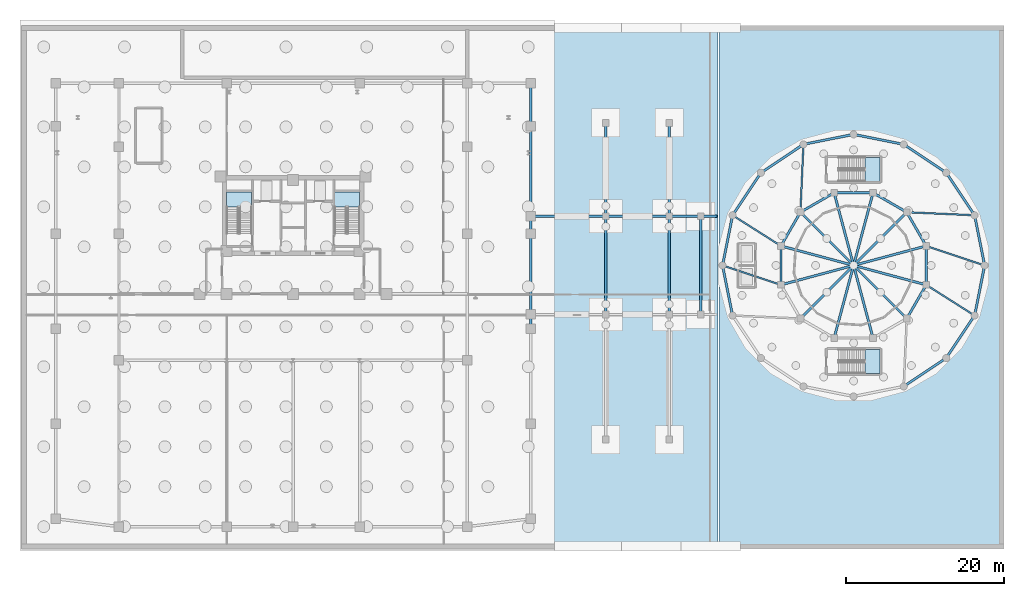
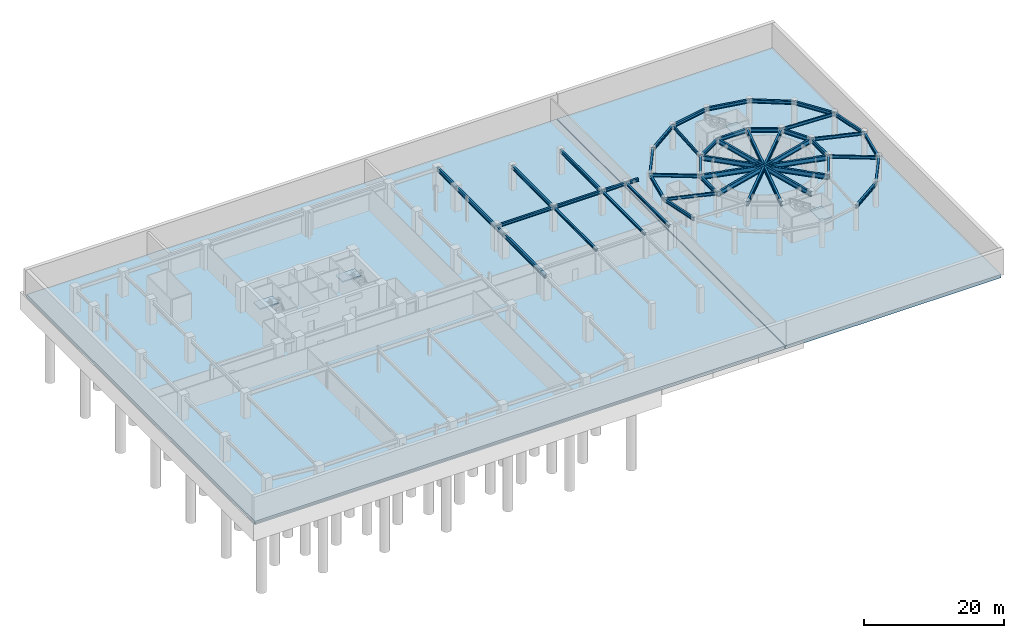
# One storey, part 5 of 15: 44 beams, 6 slabs, 4 elements without a shape of their own.
"""IFC4 building model written with IfcOpenShell, lengths in metres."""

from ifc_helpers import new_model, si_unit, derived_unit, direction, frame, origin, origin_2d, place, context, subcontext, project, spatial, polyline, i_section, outline, extrude, source, transform, mapped, material, layer, layer_set, material_profile, profile_set, type_object, element, aggregate, save


model = new_model("IFC4")

# Units and contexts
model_context = context("Model", 3, precision=1e-05, world=origin(), true_north=direction((0.0, 1.0)))
body_context = subcontext(model_context, "Body", "Model", "MODEL_VIEW")
ifc_project = project(units=[si_unit("LENGTHUNIT", "METRE"), si_unit("AREAUNIT", "SQUARE_METRE"), si_unit("VOLUMEUNIT", "CUBIC_METRE"), si_unit("PLANEANGLEUNIT", "RADIAN"), si_unit("MASSUNIT", "GRAM", prefix="KILO"), derived_unit("THERMALTRANSMITTANCEUNIT", [(si_unit("POWERUNIT", "WATT"), 1), (si_unit("LENGTHUNIT", "METRE"), -2), (si_unit("THERMODYNAMICTEMPERATUREUNIT", "KELVIN"), -1)])], contexts=[model_context])

# Site, building, storey
site_placement = place(None, origin())
site = spatial("IfcSite", under=ifc_project, at=site_placement, CompositionType="ELEMENT")
building_placement = place(site_placement, origin())
building = spatial("IfcBuilding", under=site, at=building_placement, Name="Korsvarv Bourse and Concert Hall", CompositionType="ELEMENT")
storey_placement = place(building_placement, frame((0.0, 0.0, -9.0)))
storey = spatial("IfcBuildingStorey", under=building, at=storey_placement, Name="B02", CompositionType="ELEMENT", Elevation=-9.0)

# Beams
ifc_material_1 = material(Name="Steel S355", Category="steel")
ifc_material_profile_1 = material_profile(ifc_material_1, i_section(OverallWidth=0.300048828125, OverallDepth=0.489990234375, WebThickness=0.011962890625, FlangeThickness=0.02294921875, FilletRadius=0.02392578125, at=origin_2d()), Name="HEA 500")
ifc_profile_set_1 = profile_set([ifc_material_profile_1], Name="Steel S355")
beam_type_1 = type_object("IfcBeamType", Name="BM-HEA500", PredefinedType="BEAM", material=ifc_profile_set_1)
shared_shape_1 = source(origin(), body_context, "Body", "SweptSolid", [
    extrude(i_section(OverallWidth=0.300048828125, OverallDepth=0.489990234375, WebThickness=0.011962890625, FlangeThickness=0.02294921875, FilletRadius=0.02392578125, at=origin_2d()), origin(), (0.0, 0.0, 1.0), 9.5),
])
beam_1_placement = place(storey_placement, frame((66.0, 42.199951171875, 3.93505859375), z_axis=(1.0, 0.0, 0.0), x_axis=(0.0, 1.0, 0.0)))
element("IfcBeam", 1, at=beam_1_placement, inside=storey, type_object=beam_type_1, Name="B02 beam B-10", PredefinedType="BEAM", context=body_context, shape_type="MappedRepresentation", body=[
    mapped(shared_shape_1, transform((0.0, 0.0, 0.0), scale=1.0)),
])
shared_shape_2 = source(origin(), body_context, "Body", "SweptSolid", [
    extrude(i_section(OverallWidth=0.300048828125, OverallDepth=0.489990234375, WebThickness=0.011962890625, FlangeThickness=0.02294921875, FilletRadius=0.02392578125, at=origin_2d()), origin(), (0.0, 0.0, 1.0), 8.0),
])
beam_2_placement = place(storey_placement, frame((75.5, 42.199951171875, 3.93505859375), z_axis=(1.0, 0.0, 0.0), x_axis=(0.0, 1.0, 0.0)))
element("IfcBeam", 2, at=beam_2_placement, inside=storey, type_object=beam_type_1, Name="B02 beam B-10", PredefinedType="BEAM", context=body_context, shape_type="MappedRepresentation", body=[
    mapped(shared_shape_2, transform((0.0, 0.0, 0.0), scale=1.0)),
])
shared_shape_3 = source(origin(), body_context, "Body", "SweptSolid", [
    extrude(i_section(OverallWidth=0.300048828125, OverallDepth=0.489990234375, WebThickness=0.011962890625, FlangeThickness=0.02294921875, FilletRadius=0.02392578125, at=origin_2d()), origin(), (0.0, 0.0, 1.0), 4.0),
])
beam_3_placement = place(storey_placement, frame((83.5, 42.199951171875, 3.93505859375), z_axis=(1.0, 0.0, 0.0), x_axis=(0.0, 1.0, 0.0)))
element("IfcBeam", 3, at=beam_3_placement, inside=storey, type_object=beam_type_1, Name="B02 beam B-10", PredefinedType="BEAM", context=body_context, shape_type="MappedRepresentation", body=[
    mapped(shared_shape_3, transform((0.0, 0.0, 0.0), scale=1.0)),
])
shared_shape_4 = source(origin(), body_context, "Body", "SweptSolid", [
    extrude(i_section(OverallWidth=0.300048828125, OverallDepth=0.489990234375, WebThickness=0.011962890625, FlangeThickness=0.02294921875, FilletRadius=0.02392578125, at=origin_2d()), origin(), (0.0, 0.0, 1.0), 2.02001953125),
])
beam_4_placement = place(storey_placement, frame((87.5, 42.199951171875, 3.93505859375), z_axis=(1.0, 0.0, 0.0), x_axis=(0.0, 1.0, 0.0)))
element("IfcBeam", 4, at=beam_4_placement, inside=storey, type_object=beam_type_1, Name="B02 beam B-10", PredefinedType="BEAM", context=body_context, shape_type="MappedRepresentation", body=[
    mapped(shared_shape_4, transform((0.0, 0.0, 0.0), scale=1.0)),
])
ifc_material_profile_2 = material_profile(ifc_material_1, i_section(OverallWidth=0.300048828125, OverallDepth=0.389892578125, WebThickness=0.010986328125, FlangeThickness=0.01904296875, FilletRadius=0.02099609375, at=origin_2d()), Name="HEA 400")
ifc_profile_set_2 = profile_set([ifc_material_profile_2], Name="Steel S355")
beam_type_2 = type_object("IfcBeamType", Name="BM-HEA400", PredefinedType="BEAM", material=ifc_profile_set_2)
shared_shape_5 = source(origin(), body_context, "Body", "SweptSolid", [
    extrude(i_section(OverallWidth=0.300048828125, OverallDepth=0.389892578125, WebThickness=0.010986328125, FlangeThickness=0.01904296875, FilletRadius=0.02099609375, at=origin_2d()), origin(), (0.0, 0.0, 1.0), 12.39990234375),
])
for number, where, z_axis, x_axis, name in (
    (5, (75.5, 29.800048828125, 3.985107421875), (0.0, 1.0, 0.0), (-1.0, 0.0, 0.0), "B02 beam B-11"),
    (6, (83.5, 29.800048828125, 3.985107421875), (0.0, 1.0, 0.0), (-1.0, 0.0, 0.0), "B02 beam B-11"),
    (7, (87.5, 29.800048828125, 3.985107421875), (0.0, 1.0, 0.0), (-1.0, 0.0, 0.0), "B02 beam B-11"),
):
    element("IfcBeam", number, at=place(storey_placement, frame(where, z_axis=z_axis, x_axis=x_axis)), inside=storey, type_object=beam_type_2, Name=name, PredefinedType="BEAM", context=body_context, shape_type="MappedRepresentation", body=[
        mapped(shared_shape_5, transform((0.0, 0.0, 0.0), scale=1.0)),
    ])
ifc_material_profile_3 = material_profile(ifc_material_1, i_section(OverallWidth=0.300048828125, OverallDepth=0.60009765625, WebThickness=0.015380859375, FlangeThickness=0.030029296875, FilletRadius=0.02392578125, at=origin_2d()), Name="HEB 600")
ifc_profile_set_3 = profile_set([ifc_material_profile_3], Name="Steel S355")
beam_type_3 = type_object("IfcBeamType", Name="BM-HEB600", PredefinedType="BEAM", material=ifc_profile_set_3)
shared_shape_6 = source(origin(), body_context, "Body", "SweptSolid", [
    extrude(i_section(OverallWidth=0.300048828125, OverallDepth=0.60009765625, WebThickness=0.015380859375, FlangeThickness=0.030029296875, FilletRadius=0.02392578125, at=origin_2d()), origin(), (0.0, 0.0, 1.0), 11.800048828125),
])
for number, where, z_axis, x_axis, name in (
    (8, (75.5, 42.199951171875, 3.8798828125), (0.0, 1.0, 0.0), (-1.0, 0.0, 0.0), "B02 beam B-05"),
    (9, (83.5, 42.199951171875, 3.8798828125), (0.0, 1.0, 0.0), (-1.0, 0.0, 0.0), "B02 beam B-05"),
):
    element("IfcBeam", number, at=place(storey_placement, frame(where, z_axis=z_axis, x_axis=x_axis)), inside=storey, type_object=beam_type_3, Name=name, PredefinedType="BEAM", context=body_context, shape_type="MappedRepresentation", body=[
        mapped(shared_shape_6, transform((0.0, 0.0, 0.0), scale=1.0)),
    ])
ifc_material_profile_4 = material_profile(ifc_material_1, i_section(OverallWidth=0.300048828125, OverallDepth=0.699951171875, WebThickness=0.01708984375, FlangeThickness=0.031982421875, FilletRadius=0.027099609375, at=origin_2d()), Name="HEB 700")
ifc_profile_set_4 = profile_set([ifc_material_profile_4], Name="Steel S355")
beam_type_4 = type_object("IfcBeamType", Name="BM-HEB700", PredefinedType="BEAM", material=ifc_profile_set_4)
shared_shape_7 = source(origin(), body_context, "Body", "SweptSolid", [
    extrude(i_section(OverallWidth=0.300048828125, OverallDepth=0.699951171875, WebThickness=0.01708984375, FlangeThickness=0.031982421875, FilletRadius=0.027099609375, at=origin_2d()), origin(), (0.0, 0.0, 1.0), 12.0),
])
beam_5_placement = place(storey_placement, frame((66.0, 28.0, 3.830078125), z_axis=(0.0, 1.0, 0.0), x_axis=(-1.0, 0.0, 0.0)))
element("IfcBeam", 10, at=beam_5_placement, inside=storey, type_object=beam_type_4, Name="B02 beam B-03", PredefinedType="BEAM", context=body_context, shape_type="MappedRepresentation", body=[
    mapped(shared_shape_7, transform((0.0, 0.0, 0.0), scale=1.0)),
])
shared_shape_8 = source(origin(), body_context, "Body", "SweptSolid", [
    extrude(i_section(OverallWidth=0.300048828125, OverallDepth=0.699951171875, WebThickness=0.01708984375, FlangeThickness=0.031982421875, FilletRadius=0.027099609375, at=origin_2d()), origin(), (0.0, 0.0, 1.0), 13.60009765625),
])
beam_6_placement = place(storey_placement, frame((66.0, 40.0, 3.830078125), z_axis=(0.0, 1.0, 0.0), x_axis=(-1.0, 0.0, 0.0)))
element("IfcBeam", 11, at=beam_6_placement, inside=storey, type_object=beam_type_4, Name="B02 beam B-03", PredefinedType="BEAM", context=body_context, shape_type="MappedRepresentation", body=[
    mapped(shared_shape_8, transform((0.0, 0.0, 0.0), scale=1.0)),
])
shared_shape_9 = source(origin(), body_context, "Body", "SweptSolid", [
    extrude(i_section(OverallWidth=0.300048828125, OverallDepth=0.699951171875, WebThickness=0.01708984375, FlangeThickness=0.031982421875, FilletRadius=0.027099609375, at=origin_2d()), origin(), (0.0, 0.0, 1.0), 5.39990234375),
])
beam_7_placement = place(storey_placement, frame((66.0, 53.60009765625, 3.830078125), z_axis=(0.0, 1.0, 0.0), x_axis=(-1.0, 0.0, 0.0)))
element("IfcBeam", 12, at=beam_7_placement, inside=storey, type_object=beam_type_4, Name="B02 beam B-03", PredefinedType="BEAM", context=body_context, shape_type="MappedRepresentation", body=[
    mapped(shared_shape_9, transform((0.0, 0.0, 0.0), scale=1.0)),
])
ifc_material_profile_5 = material_profile(ifc_material_1, i_section(OverallWidth=0.300048828125, OverallDepth=0.550048828125, WebThickness=0.014892578125, FlangeThickness=0.029052734375, FilletRadius=0.02392578125, at=origin_2d()), Name="HEB 550")
ifc_profile_set_5 = profile_set([ifc_material_profile_5], Name="Steel S355")
beam_type_5 = type_object("IfcBeamType", Name="BM-HEB550", PredefinedType="BEAM", material=ifc_profile_set_5)
shared_shape_10 = source(origin(), body_context, "Body", "SweptSolid", [
    extrude(i_section(OverallWidth=0.300048828125, OverallDepth=0.550048828125, WebThickness=0.014892578125, FlangeThickness=0.029052734375, FilletRadius=0.02392578125, at=origin_2d()), origin(), (0.0, 0.0, 1.0), 6.45751953125),
])
for number, where, z_axis, x_axis, name in (
    (13, (123.35009765625, 36.0, 3.905029296875), (-0.195119974887, 0.980779381615, 0.0), (-0.980779381615, -0.195119974887, 0.0), "B02 beam B-06"),
    (14, (106.800048828125, 52.550048828125, 3.905029296875), (-0.980786616034, -0.195083607229, 0.0), (0.195083607229, -0.980786616034, 0.0), "B02 beam B-06"),
    (15, (100.466552734375, 51.290283203125, 3.905029296875), (-0.83146235745, -0.55558109052, 0.0), (0.55558109052, -0.83146235745, 0.0), "B02 beam B-06"),
    (16, (95.097412109375, 47.70263671875, 3.905029296875), (-0.55558109052, -0.83146235745, 0.0), (0.83146235745, -0.55558109052, 0.0), "B02 beam B-06"),
    (17, (91.509765625, 42.33349609375, 3.905029296875), (-0.195083607229, -0.980786616034, 0.0), (0.980786616034, -0.195083607229, 0.0), "B02 beam B-06"),
    (18, (90.25, 36.0, 3.905029296875), (0.195083607229, -0.980786616034, 0.0), (0.980786616034, 0.195083607229, 0.0), "B02 beam B-06"),
    (19, (122.090087890625, 29.66650390625, 3.905029296875), (0.195119974887, 0.980779381615, 0.0), (-0.980779381615, 0.195119974887, 0.0), "B02 beam B-06"),
):
    element("IfcBeam", number, at=place(storey_placement, frame(where, z_axis=z_axis, x_axis=x_axis)), inside=storey, type_object=beam_type_5, Name=name, PredefinedType="BEAM", context=body_context, shape_type="MappedRepresentation", body=[
        mapped(shared_shape_10, transform((0.0, 0.0, 0.0), scale=1.0)),
    ])
shared_shape_11 = source(origin(), body_context, "Body", "SweptSolid", [
    extrude(i_section(OverallWidth=0.300048828125, OverallDepth=0.550048828125, WebThickness=0.014892578125, FlangeThickness=0.029052734375, FilletRadius=0.02392578125, at=origin_2d()), origin(), (0.0, 0.0, 1.0), 6.457275390625),
])
for number, where, z_axis, x_axis, name in (
    (20, (122.090087890625, 42.33349609375, 3.905029296875), (-0.555554952257, 0.831479822379, 0.0), (-0.831479822379, -0.555554952257, 0.0), "B02 beam B-06"),
    (21, (113.13330078125, 51.290283203125, 3.905029296875), (-0.980785177113, 0.19509084129, 0.0), (-0.19509084129, -0.980785177113, 0.0), "B02 beam B-06"),
    (22, (118.502685546875, 24.29736328125, 3.905029296875), (0.555554952257, 0.831479822379, 0.0), (-0.831479822379, 0.555554952257, 0.0), "B02 beam B-06"),
):
    element("IfcBeam", number, at=place(storey_placement, frame(where, z_axis=z_axis, x_axis=x_axis)), inside=storey, type_object=beam_type_5, Name=name, PredefinedType="BEAM", context=body_context, shape_type="MappedRepresentation", body=[
        mapped(shared_shape_11, transform((0.0, 0.0, 0.0), scale=1.0)),
    ])
shared_shape_12 = source(origin(), body_context, "Body", "SweptSolid", [
    extrude(i_section(OverallWidth=0.300048828125, OverallDepth=0.550048828125, WebThickness=0.014892578125, FlangeThickness=0.029052734375, FilletRadius=0.02392578125, at=origin_2d()), origin(), (0.0, 0.0, 1.0), 6.457763671875),
])
for number, where, z_axis, x_axis, name in (
    (23, (118.502685546875, 47.70263671875, 3.905029296875), (-0.831474026951, 0.555563625974, 0.0), (-0.555563625974, -0.831474026951, 0.0), "B02 beam B-06"),
    (24, (113.13330078125, 20.709716796875, 3.905029296875), (0.831474026951, 0.555563625974, 0.0), (-0.555563625974, 0.831474026951, 0.0), "B02 beam B-06"),
):
    element("IfcBeam", number, at=place(storey_placement, frame(where, z_axis=z_axis, x_axis=x_axis)), inside=storey, type_object=beam_type_5, Name=name, PredefinedType="BEAM", context=body_context, shape_type="MappedRepresentation", body=[
        mapped(shared_shape_12, transform((0.0, 0.0, 0.0), scale=1.0)),
    ])
ifc_material_profile_6 = material_profile(ifc_material_1, i_section(OverallWidth=0.300048828125, OverallDepth=0.64990234375, WebThickness=0.01611328125, FlangeThickness=0.031005859375, FilletRadius=0.027099609375, at=origin_2d()), Name="HEB 650")
ifc_profile_set_6 = profile_set([ifc_material_profile_6], Name="Steel S355")
beam_type_6 = type_object("IfcBeamType", Name="BM-HEB650", PredefinedType="BEAM", material=ifc_profile_set_6)
shared_shape_13 = source(origin(), body_context, "Body", "SweptSolid", [
    extrude(i_section(OverallWidth=0.300048828125, OverallDepth=0.64990234375, WebThickness=0.01611328125, FlangeThickness=0.031005859375, FilletRadius=0.027099609375, at=origin_2d()), origin(), (0.0, 0.0, 1.0), 4.91748046875),
])
for number, where, z_axis, x_axis, name in (
    (25, (115.976318359375, 38.458740234375, 3.85498046875), (-0.499988900423, 0.866031812033, 0.0), (-0.866031812033, -0.499988900423, 0.0), "B02 beam B-04"),
    (26, (113.517578125, 42.717529296875, 3.85498046875), (-0.866031812033, 0.499988900423, 0.0), (-0.499988900423, -0.866031812033, 0.0), "B02 beam B-04"),
    (27, (109.2587890625, 45.17626953125, 3.85498046875), (-1.0, 0.0, 0.0), (0.0, -1.0, 0.0), "B02 beam B-04"),
    (28, (104.34130859375, 45.17626953125, 3.85498046875), (-0.866031812033, -0.499988900423, 0.0), (0.499988900423, -0.866031812033, 0.0), "B02 beam B-04"),
    (29, (100.08251953125, 42.717529296875, 3.85498046875), (-0.499988900423, -0.866031812033, 0.0), (0.866031812033, -0.499988900423, 0.0), "B02 beam B-04"),
    (30, (97.623779296875, 38.458740234375, 3.85498046875), (0.0, -1.0, 0.0), (1.0, 0.0, 0.0), "B02 beam B-04"),
    (31, (113.517578125, 29.282470703125, 3.85498046875), (0.499988900423, 0.866031812033, 0.0), (-0.866031812033, 0.499988900423, 0.0), "B02 beam B-04"),
    (32, (115.976318359375, 33.541259765625, 3.85498046875), (0.0, 1.0, 0.0), (-1.0, 0.0, 0.0), "B02 beam B-04"),
):
    element("IfcBeam", number, at=place(storey_placement, frame(where, z_axis=z_axis, x_axis=x_axis)), inside=storey, type_object=beam_type_6, Name=name, PredefinedType="BEAM", context=body_context, shape_type="MappedRepresentation", body=[
        mapped(shared_shape_13, transform((0.0, 0.0, 0.0), scale=1.0)),
    ])
ifc_material_profile_7 = material_profile(ifc_material_1, i_section(OverallWidth=0.199951171875, OverallDepth=0.5, WebThickness=0.01025390625, FlangeThickness=0.01611328125, FilletRadius=0.02099609375, at=origin_2d()), Name="IPE 500")
ifc_profile_set_7 = profile_set([ifc_material_profile_7], Name="Steel S355")
beam_type_7 = type_object("IfcBeamType", Name="BM-IPE500", PredefinedType="JOIST", material=ifc_profile_set_7)
shared_shape_14 = source(origin(), body_context, "Body", "SweptSolid", [
    extrude(i_section(OverallWidth=0.199951171875, OverallDepth=0.5, WebThickness=0.01025390625, FlangeThickness=0.01611328125, FilletRadius=0.02099609375, at=origin_2d()), origin(), (0.0, 0.0, 1.0), 7.77294921875),
])
for number, where, z_axis, x_axis, name in (
    (33, (115.976318359375, 38.458740234375, 3.929931640625), (0.948651884177, -0.316321992039, 0.0), (0.316321992039, 0.948651884177, 0.0), "B02 beam J-03"),
    (34, (97.623779296875, 33.541259765625, 3.929931640625), (-0.948651884177, 0.316321992039, 0.0), (-0.316321992039, -0.948651884177, 0.0), "B02 beam J-03"),
):
    element("IfcBeam", number, at=place(storey_placement, frame(where, z_axis=z_axis, x_axis=x_axis)), inside=storey, type_object=beam_type_7, Name=name, PredefinedType="JOIST", context=body_context, shape_type="MappedRepresentation", body=[
        mapped(shared_shape_14, transform((0.0, 0.0, 0.0), scale=1.0)),
    ])
shared_shape_15 = source(origin(), body_context, "Body", "SweptSolid", [
    extrude(i_section(OverallWidth=0.199951171875, OverallDepth=0.5, WebThickness=0.01025390625, FlangeThickness=0.01611328125, FilletRadius=0.02099609375, at=origin_2d()), origin(), (0.0, 0.0, 1.0), 8.5810546875),
])
beam_8_placement = place(storey_placement, frame((113.517578125, 42.717529296875, 3.929931640625), z_axis=(0.998998067431, -0.044753338082, 0.0), x_axis=(0.044753338082, 0.998998067431, 0.0)))
element("IfcBeam", 35, at=beam_8_placement, inside=storey, type_object=beam_type_7, Name="B02 beam J-03", PredefinedType="JOIST", context=body_context, shape_type="MappedRepresentation", body=[
    mapped(shared_shape_15, transform((0.0, 0.0, 0.0), scale=1.0)),
])
shared_shape_16 = source(origin(), body_context, "Body", "SweptSolid", [
    extrude(i_section(OverallWidth=0.199951171875, OverallDepth=0.5, WebThickness=0.01025390625, FlangeThickness=0.01611328125, FilletRadius=0.02099609375, at=origin_2d()), origin(), (0.0, 0.0, 1.0), 8.581298828125),
])
beam_9_placement = place(storey_placement, frame((100.08251953125, 42.717529296875, 3.929931640625), z_axis=(0.044752066119, 0.998998124412, 0.0), x_axis=(-0.998998124412, 0.044752066119, 0.0)))
element("IfcBeam", 36, at=beam_9_placement, inside=storey, type_object=beam_type_7, Name="B02 beam J-03", PredefinedType="JOIST", context=body_context, shape_type="MappedRepresentation", body=[
    mapped(shared_shape_16, transform((0.0, 0.0, 0.0), scale=1.0)),
])
shared_shape_17 = source(origin(), body_context, "Body", "SweptSolid", [
    extrude(i_section(OverallWidth=0.199951171875, OverallDepth=0.5, WebThickness=0.01025390625, FlangeThickness=0.01611328125, FilletRadius=0.02099609375, at=origin_2d()), origin(), (0.0, 0.0, 1.0), 7.238525390625),
])
beam_10_placement = place(storey_placement, frame((97.623779296875, 38.458740234375, 3.929931640625), z_axis=(-0.844659971835, 0.53530321499, 0.0), x_axis=(-0.53530321499, -0.844659971835, 0.0)))
element("IfcBeam", 37, at=beam_10_placement, inside=storey, type_object=beam_type_7, Name="B02 beam J-03", PredefinedType="JOIST", context=body_context, shape_type="MappedRepresentation", body=[
    mapped(shared_shape_17, transform((0.0, 0.0, 0.0), scale=1.0)),
])
shared_shape_18 = source(origin(), body_context, "Body", "SweptSolid", [
    extrude(i_section(OverallWidth=0.199951171875, OverallDepth=0.5, WebThickness=0.01025390625, FlangeThickness=0.01611328125, FilletRadius=0.02099609375, at=origin_2d()), origin(), (0.0, 0.0, 1.0), 7.23828125),
])
beam_11_placement = place(storey_placement, frame((115.976318359375, 33.541259765625, 3.929931640625), z_axis=(0.844650306569, -0.5353184656, 0.0), x_axis=(0.5353184656, 0.844650306569, 0.0)))
element("IfcBeam", 38, at=beam_11_placement, inside=storey, type_object=beam_type_7, Name="B02 beam J-03", PredefinedType="JOIST", context=body_context, shape_type="MappedRepresentation", body=[
    mapped(shared_shape_18, transform((0.0, 0.0, 0.0), scale=1.0)),
])
ifc_material_2 = material(Name="Steel S460", Category="steel")
ifc_material_profile_8 = material_profile(ifc_material_2, i_section(OverallWidth=0.300048828125, OverallDepth=0.800048828125, WebThickness=0.017578125, FlangeThickness=0.032958984375, FilletRadius=0.027099609375, at=origin_2d()), Name="HEB 800")
ifc_profile_set_8 = profile_set([ifc_material_profile_8], Name="Steel S460")
beam_type_8 = type_object("IfcBeamType", Name="BM-HEB800", PredefinedType="BEAM", material=ifc_profile_set_8)
shared_shape_19 = source(origin(), body_context, "Body", "SweptSolid", [
    extrude(i_section(OverallWidth=0.300048828125, OverallDepth=0.800048828125, WebThickness=0.017578125, FlangeThickness=0.032958984375, FilletRadius=0.027099609375, at=origin_2d()), origin(), (0.0, 0.0, 1.0), 19.0),
])
for number, where, z_axis, x_axis, name in (
    (39, (115.976318359375, 38.458740234375, 3.780029296875), (-0.96592671513, -0.258815727879, 0.0), (0.258815727879, -0.96592671513, 0.0), "B02 beam B-02"),
    (40, (113.517578125, 42.717529296875, 3.780029296875), (-0.707106781187, -0.707106781187, 0.0), (0.707106781187, -0.707106781187, 0.0), "B02 beam B-02"),
    (41, (109.2587890625, 45.17626953125, 3.780029296875), (-0.258815727879, -0.96592671513, 0.0), (0.96592671513, -0.258815727879, 0.0), "B02 beam B-02"),
    (42, (104.34130859375, 45.17626953125, 3.780029296875), (0.258815727879, -0.96592671513, 0.0), (0.96592671513, 0.258815727879, 0.0), "B02 beam B-02"),
    (43, (100.08251953125, 42.717529296875, 3.780029296875), (0.707106781187, -0.707106781187, 0.0), (0.707106781187, 0.707106781187, 0.0), "B02 beam B-02"),
    (44, (97.623779296875, 38.458740234375, 3.780029296875), (0.96592671513, -0.258815727879, 0.0), (0.258815727879, 0.96592671513, 0.0), "B02 beam B-02"),
):
    element("IfcBeam", number, at=place(storey_placement, frame(where, z_axis=z_axis, x_axis=x_axis)), inside=storey, type_object=beam_type_8, Name=name, PredefinedType="BEAM", context=body_context, shape_type="MappedRepresentation", body=[
        mapped(shared_shape_19, transform((0.0, 0.0, 0.0), scale=1.0)),
    ])

# Slabs
ifc_material_3 = material(Name="Concrete C50/60", Category="concrete")
ifc_layer_1 = layer(ifc_material_3, 0.60009765625)
ifc_layer_set_1 = layer_set([ifc_layer_1], Name="Concrete C50/60")
slab_type_1 = type_object("IfcSlabType", Name="SLB-B02", PredefinedType="BASESLAB", material=ifc_layer_set_1)
slab_1_placement = place(storey_placement, frame((0.0, 0.0, -0.60009765625)))
element("IfcSlab", 45, at=slab_1_placement, inside=storey, type_object=slab_type_1, Name="B02 Exchange Podium structural slab S-B02", PredefinedType="BASESLAB", context=body_context, shape_type="SweptSolid", body=[
    extrude(outline(polyline([(2.0, 0.5), (89.679931640625, 0.5), (89.679931640625, 66.0), (2.0, 66.0), (2.0, 0.5)])), origin(), (0.0, 0.0, 1.0), 0.60009765625),
])
slab_2_placement = place(storey_placement, frame((0.0, 0.0, -0.60009765625)))
element("IfcSlab", 46, at=slab_2_placement, inside=storey, type_object=slab_type_1, Name="B02 Concert Hall basement structural slab S-B02", PredefinedType="BASESLAB", context=body_context, shape_type="SweptSolid", body=[
    extrude(outline(polyline([(89.800048828125, 0.5), (125.5, 0.5), (125.5, 66.0), (89.800048828125, 66.0), (89.800048828125, 0.5)])), origin(), (0.0, 0.0, 1.0), 0.60009765625),
])

# Stair, slab
ifc_material_4 = material(Name="Precast concrete C45/55", Category="concrete")
stair_type_1 = type_object("IfcStairType", Name="STR-TYPE-01", PredefinedType="HALF_TURN_STAIR", material=ifc_material_4)
stair_1_placement = place(storey_placement, origin())
stair_1 = element("IfcStair", 47, at=stair_1_placement, inside=storey, type_object=stair_type_1, Name="B02 Tower West Exit Stair ST-T1", PredefinedType="HALF_TURN_STAIR")
ifc_layer_2 = layer(ifc_material_4, 0.199951171875)
ifc_layer_set_2 = layer_set([ifc_layer_2], Name="Precast concrete C45/55")
slab_type_2 = type_object("IfcSlabType", Name="SLB-ST-LND", PredefinedType="LANDING", material=ifc_layer_set_2)
slab_3_placement = place(storey_placement, frame((0.0, 0.0, 2.050048828125)))
slab_3 = element("IfcSlab", 48, at=slab_3_placement, type_object=slab_type_2, Name="ST-T1 landing 1", PredefinedType="LANDING", context=body_context, shape_type="SweptSolid", body=[
    extrude(outline(polyline([(30.760009765625, 43.360107421875), (30.760009765625, 45.300048828125), (27.60009765625, 45.300048828125), (27.60009765625, 43.360107421875), (30.760009765625, 43.360107421875)])), origin(), (0.0, 0.0, 1.0), 0.199951171875),
])
aggregate(stair_1, [slab_3])

stair_2_placement = place(storey_placement, origin())
stair_2 = element("IfcStair", 49, at=stair_2_placement, inside=storey, type_object=stair_type_1, Name="B02 Tower East Exit Stair ST-T2", PredefinedType="HALF_TURN_STAIR")
slab_4_placement = place(storey_placement, frame((0.0, 0.0, 2.050048828125)))
slab_4 = element("IfcSlab", 50, at=slab_4_placement, type_object=slab_type_2, Name="ST-T2 landing 1", PredefinedType="LANDING", context=body_context, shape_type="SweptSolid", body=[
    extrude(outline(polyline([(44.39990234375, 43.360107421875), (44.39990234375, 45.300048828125), (41.239990234375, 45.300048828125), (41.239990234375, 43.360107421875), (44.39990234375, 43.360107421875)])), origin(), (0.0, 0.0, 1.0), 0.199951171875),
])
aggregate(stair_2, [slab_4])

stair_type_2 = type_object("IfcStairType", Name="STR-TYPE-06", PredefinedType="HALF_TURN_STAIR", material=ifc_material_4)
stair_3_placement = place(storey_placement, origin())
stair_3 = element("IfcStair", 51, at=stair_3_placement, inside=storey, type_object=stair_type_2, Name="B02 Concert Hall North Exit Stair ST-CH1", PredefinedType="HALF_TURN_STAIR")
slab_5_placement = place(storey_placement, frame((0.0, 0.0, 2.050048828125)))
slab_5 = element("IfcSlab", 52, at=slab_5_placement, type_object=slab_type_2, Name="ST-CH1 landing 1", PredefinedType="LANDING", context=body_context, shape_type="SweptSolid", body=[
    extrude(outline(polyline([(108.260009765625, 46.60009765625), (110.14990234375, 46.60009765625), (110.14990234375, 49.659912109375), (108.260009765625, 49.659912109375), (108.260009765625, 46.60009765625)])), origin(), (0.0, 0.0, 1.0), 0.199951171875),
])
aggregate(stair_3, [slab_5])

stair_4_placement = place(storey_placement, origin())
stair_4 = element("IfcStair", 53, at=stair_4_placement, inside=storey, type_object=stair_type_2, Name="B02 Concert Hall South Exit Stair ST-CH2", PredefinedType="HALF_TURN_STAIR")
slab_6_placement = place(storey_placement, frame((0.0, 0.0, 2.050048828125)))
slab_6 = element("IfcSlab", 54, at=slab_6_placement, type_object=slab_type_2, Name="ST-CH2 landing 1", PredefinedType="LANDING", context=body_context, shape_type="SweptSolid", body=[
    extrude(outline(polyline([(108.260009765625, 22.340087890625), (110.14990234375, 22.340087890625), (110.14990234375, 25.39990234375), (108.260009765625, 25.39990234375), (108.260009765625, 22.340087890625)])), origin(), (0.0, 0.0, 1.0), 0.199951171875),
])
aggregate(stair_4, [slab_6])

save(model, "model.ifc")
